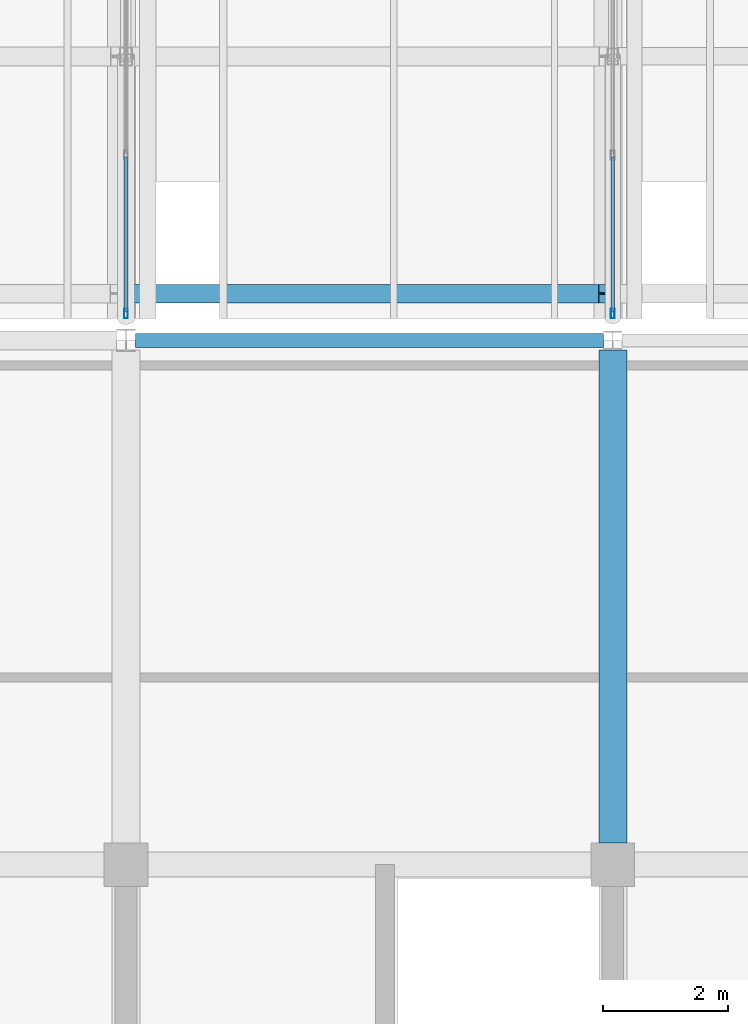
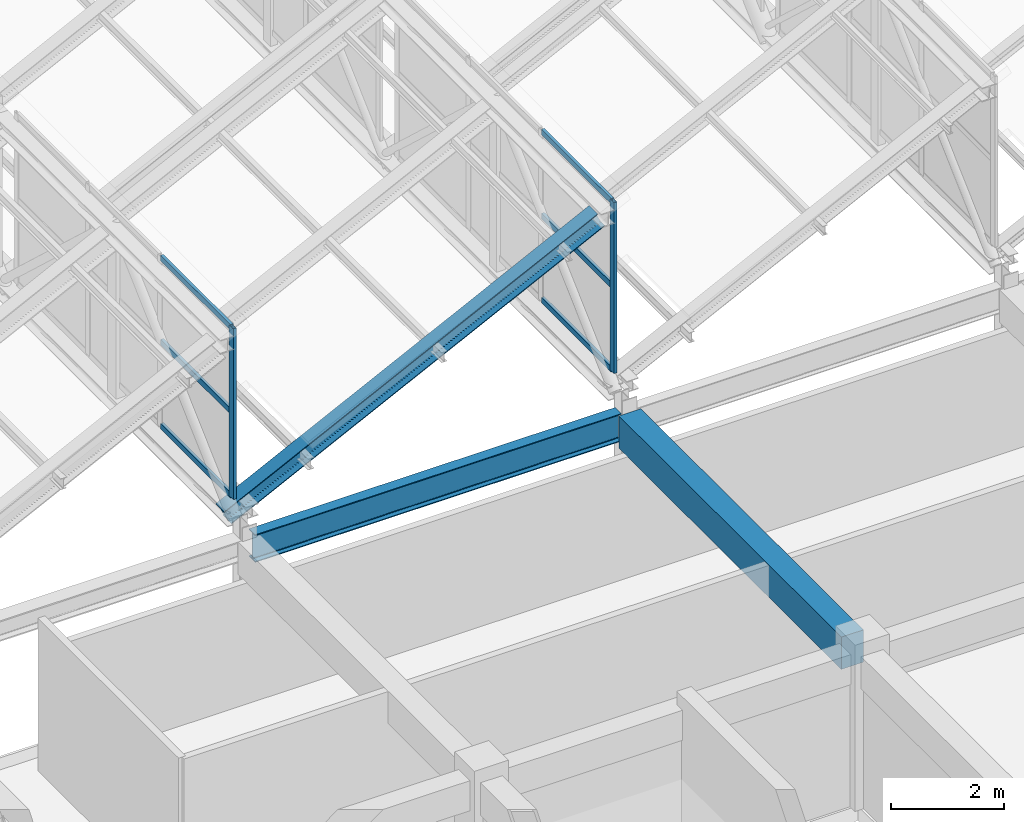
# One storey, part 10 of 101: 9 members, 2 beams, 2 elements without a shape of their own.
"""IFC4 building model written with IfcOpenShell, lengths in metres."""

import ifcopenshell
import ifcopenshell.guid

model = None  # the IFC model being written
_history = None  # IfcOwnerHistory: only IFC2X3 demands one
_inside = {}  # id of a spatial element -> (the spatial element, [elements in it])
_under = {}  # id of a project, library or spatial element -> (it, [spatial elements below it])
_declared = {}  # id of a project -> (the project, [libraries it declares])
_typed = {}  # id of a type object -> (the type object, [elements of that type])
_made_of = {}  # id of a material, layer set ... -> (it, [elements and type objects made of it])


def new_model(schema):
    """Start an empty IFC model of exactly this schema.

    Asked for "IFC4X3", IfcOpenShell would pick the latest addendum, in which some entities
    have other attributes; the version numbers below select the first issue.
    IFC2X3 requires an IfcOwnerHistory on every rooted entity: one is made here for all.
    """
    global model, _history
    if schema == "IFC4X3":
        model = ifcopenshell.file(schema_version=(4, 3, 0, 0))
    else:
        model = ifcopenshell.file(schema=schema)
    _inside.clear()
    _under.clear()
    _declared.clear()
    _typed.clear()
    _made_of.clear()
    _history = None
    if model.schema == "IFC2X3":
        org = make("IfcOrganization", Name="unknown")
        user = make(
            "IfcPersonAndOrganization",
            ThePerson=make("IfcPerson", FamilyName="unknown"),
            TheOrganization=org,
        )
        app = make(
            "IfcApplication",
            ApplicationDeveloper=org,
            Version="unknown",
            ApplicationFullName="unknown",
            ApplicationIdentifier="unknown",
        )
        _history = make(
            "IfcOwnerHistory",
            OwningUser=user,
            OwningApplication=app,
            ChangeAction="ADDED",
            CreationDate=0,
        )
    return model


def make(cls, **values):
    """One entity of the class cls with the attributes given. An attribute that is None is left unset."""
    return model.create_entity(
        cls, **{name: value for name, value in values.items() if value is not None}
    )


def rooted(cls, **values):
    """An entity with a GlobalId (a new one), such as an element, a storey or a relation."""
    return make(cls, GlobalId=ifcopenshell.guid.new(), OwnerHistory=_history, **values)


def si_unit(unit_type, name, prefix=None):
    """IfcSIUnit, for example si_unit("LENGTHUNIT", "METRE", prefix="MILLI")."""
    return make("IfcSIUnit", UnitType=unit_type, Prefix=prefix, Name=name)


def assignment(units):
    """IfcUnitAssignment: the units of a project."""
    return None if units is None else make("IfcUnitAssignment", Units=units)


def point(xyz):
    """IfcCartesianPoint."""
    return None if xyz is None else make("IfcCartesianPoint", Coordinates=xyz)


def direction(xyz):
    """IfcDirection."""
    return None if xyz is None else make("IfcDirection", DirectionRatios=xyz)


def frame(location, z_axis=None, x_axis=None):
    """IfcAxis2Placement3D, a coordinate frame: its origin and axes. An axis left out is left unset."""
    return make(
        "IfcAxis2Placement3D",
        Location=point(location),
        Axis=direction(z_axis),
        RefDirection=direction(x_axis),
    )


def frame_2d(location, x_axis=None):
    """IfcAxis2Placement2D, a coordinate frame in the plane: its origin and x axis."""
    return make(
        "IfcAxis2Placement2D", Location=point(location), RefDirection=direction(x_axis)
    )


def origin():
    """The frame at (0, 0, 0) with its axes left unset."""
    return frame((0.0, 0.0, 0.0))


def origin_2d():
    """The frame at (0, 0) in the plane with its x axis left unset."""
    return frame_2d((0.0, 0.0))


def place(relative_to, where):
    """IfcLocalPlacement: puts the frame where relative to a parent placement (None: the world)."""
    return make(
        "IfcLocalPlacement", PlacementRelTo=relative_to, RelativePlacement=where
    )


def context(
    kind, dimensions, precision=None, world=None, true_north=None, identifier=None
):
    """IfcGeometricRepresentationContext, for example the 3D "Model" context."""
    return make(
        "IfcGeometricRepresentationContext",
        ContextIdentifier=identifier,
        ContextType=kind,
        CoordinateSpaceDimension=dimensions,
        Precision=precision,
        WorldCoordinateSystem=world,
        TrueNorth=true_north,
    )


def subcontext(parent, identifier, kind, view, scale=None):
    """IfcGeometricRepresentationSubContext, for example "Body" below "Model"."""
    return make(
        "IfcGeometricRepresentationSubContext",
        ContextIdentifier=identifier,
        ContextType=kind,
        ParentContext=parent,
        TargetScale=scale,
        TargetView=view,
    )


def project(units=None, contexts=None):
    """IfcProject with its units and contexts."""
    return rooted(
        "IfcProject",
        Name="project",
        RepresentationContexts=contexts,
        UnitsInContext=assignment(units),
    )


def spatial(cls, under=None, at=None, **own):
    """A site, building, storey or space (cls), placed at a placement, below another one or the project."""
    s = rooted(cls, ObjectPlacement=at, **own)
    if under is not None:
        _under.setdefault(under.id(), (under, []))[1].append(s)
    return s


def profile(cls, at=None, kind="AREA", **sizes):
    """A parametric profile (cls). Its sizes go by their IFC names, for example OverallWidth=200.0."""
    return make(cls, ProfileType=kind, Position=at, **sizes)


def rectangle(**sizes):
    """IfcRectangleProfileDef."""
    return profile("IfcRectangleProfileDef", **sizes)


def hollow_rectangle(**sizes):
    """IfcRectangleHollowProfileDef."""
    return profile("IfcRectangleHollowProfileDef", **sizes)


def i_section(**sizes):
    """IfcIShapeProfileDef."""
    return profile("IfcIShapeProfileDef", **sizes)


def extrude(swept, where, along, depth):
    """IfcExtrudedAreaSolid: the profile swept, set in the frame where, extruded along a direction by depth."""
    return make(
        "IfcExtrudedAreaSolid",
        SweptArea=swept,
        Position=where,
        ExtrudedDirection=direction(along),
        Depth=depth,
    )


def shape(context_of_items, identifier, shape_type, items):
    """IfcShapeRepresentation: the items that make up one representation, for example the "Body"."""
    return make(
        "IfcShapeRepresentation",
        ContextOfItems=context_of_items,
        RepresentationIdentifier=identifier,
        RepresentationType=shape_type,
        Items=items,
    )


def material(Name=None, Category=None):
    """IfcMaterial."""
    return make("IfcMaterial", Name=Name, Category=Category)


def layer(
    of_material, thickness, ventilated=None, Name=None, Category=None, Priority=None
):
    """IfcMaterialLayer: one layer of a wall or slab, of a material (None: an air gap)."""
    return make(
        "IfcMaterialLayer",
        Material=of_material,
        LayerThickness=thickness,
        IsVentilated=ventilated,
        Name=Name,
        Category=Category,
        Priority=Priority,
    )


def layer_set(layers, Name=None):
    """IfcMaterialLayerSet."""
    return make("IfcMaterialLayerSet", MaterialLayers=layers, LayerSetName=Name)


def material_profile(
    of_material, cross_section, Name=None, Category=None, Priority=None
):
    """IfcMaterialProfile: a cross section and its material."""
    return make(
        "IfcMaterialProfile",
        Name=Name,
        Material=of_material,
        Profile=cross_section,
        Priority=Priority,
        Category=Category,
    )


def profile_set(profiles, Name=None, composite=None):
    """IfcMaterialProfileSet."""
    return make(
        "IfcMaterialProfileSet",
        Name=Name,
        MaterialProfiles=profiles,
        CompositeProfile=composite,
    )


def made_of(thing, what):
    """Note that an element or type object is made of a material, layer set ...; save() writes the relation."""
    if what is not None:
        _made_of.setdefault(what.id(), (what, []))[1].append(thing)
    return thing


def type_object(cls, material=None, **own):
    """A type object (cls), such as IfcWallType, which elements share."""
    return made_of(rooted(cls, **own), material)


def element(
    cls,
    number,
    at=None,
    inside=None,
    cuts=None,
    type_object=None,
    material=None,
    context=None,
    identifier="Body",
    shape_type=None,
    held_by="IfcProductDefinitionShape",
    body=None,
    shapes=None,
    **own,
):
    """One element of the class cls, such as IfcWall. Its Tag is "e" and its number.

    at: its placement. inside: the storey or other place that contains it. cuts: it is an
    opening in that element (IfcRelVoidsElement). A single representation is given by context,
    identifier, shape_type and body (its items); several are given by shapes. held_by: the class
    of the entity that holds the representations. save() writes the other relations.
    """
    e = rooted(cls, Tag="e%d" % number, ObjectPlacement=at, **own)
    if body is not None:
        shapes = [shape(context, identifier, shape_type, body)]
    if shapes is not None:
        e.Representation = make(held_by, Representations=shapes)
    if inside is not None:
        _inside.setdefault(inside.id(), (inside, []))[1].append(e)
    if cuts is not None:
        rooted(
            "IfcRelVoidsElement", RelatingBuildingElement=cuts, RelatedOpeningElement=e
        )
    if type_object is not None:
        _typed.setdefault(type_object.id(), (type_object, []))[1].append(e)
    return made_of(e, material)


def aggregate(whole, parts):
    """IfcRelAggregates: a whole, such as a stair, and the parts it consists of."""
    return rooted("IfcRelAggregates", RelatingObject=whole, RelatedObjects=parts)


def save(model, path):
    """Write the relations noted so far, then the file.

    IfcRelAggregates (storeys below a building ...), IfcRelContainedInSpatialStructure (elements
    in a storey), IfcRelDefinesByType, IfcRelAssociatesMaterial and IfcRelDeclares: one each for
    every whole, place, type object, material and project.
    """
    for whole, parts in _under.values():
        aggregate(whole, parts)
    for where, things in _inside.values():
        rooted(
            "IfcRelContainedInSpatialStructure",
            RelatedElements=things,
            RelatingStructure=where,
        )
    for kind, things in _typed.values():
        rooted("IfcRelDefinesByType", RelatedObjects=things, RelatingType=kind)
    for what, things in _made_of.values():
        rooted("IfcRelAssociatesMaterial", RelatedObjects=things, RelatingMaterial=what)
    for by, libraries in _declared.values():
        rooted("IfcRelDeclares", RelatingContext=by, RelatedDefinitions=libraries)
    model.write(path)


model = new_model("IFC4")

# Units and contexts
model_context = context("Model", 3, precision=1e-05, world=origin(), true_north=direction((0.0, 1.0)))
body_context = subcontext(model_context, "Body", "Model", "MODEL_VIEW")
ifc_project = project(units=[si_unit("LENGTHUNIT", "METRE"), si_unit("AREAUNIT", "SQUARE_METRE"), si_unit("VOLUMEUNIT", "CUBIC_METRE"), si_unit("PLANEANGLEUNIT", "RADIAN"), si_unit("MASSUNIT", "GRAM", prefix="KILO")], contexts=[model_context])

# Site, building, storey
site_placement = place(None, origin())
site = spatial("IfcSite", under=ifc_project, at=site_placement, CompositionType="ELEMENT")
building_placement = place(site_placement, origin())
building = spatial("IfcBuilding", under=site, at=building_placement, Name="Zizhar Promenade General Hospital", CompositionType="ELEMENT")
storey_placement = place(building_placement, frame((0.0, 0.0, 14.39990234375)))
storey = spatial("IfcBuildingStorey", under=building, at=storey_placement, Name="L03", CompositionType="ELEMENT", Elevation=14.39990234375)

# Beams
ifc_material_1 = material(Name="Concrete C35/45", Category="concrete")
ifc_material_profile_1 = material_profile(ifc_material_1, rectangle(XDim=0.449951171875, YDim=0.699951171875, at=origin_2d()))
ifc_profile_set_1 = profile_set([ifc_material_profile_1], Name="Concrete C35/45")
beam_type_1 = type_object("IfcBeamType", Name="BM-RC-450x700", PredefinedType="BEAM", material=ifc_profile_set_1)
beam_1_placement = place(storey_placement, frame((85.800048828125, 17.14990234375, 2.960205078125), z_axis=(0.0, 1.0, 0.0), x_axis=(-1.0, 0.0, 0.0)))
element("IfcBeam", 1, at=beam_1_placement, inside=storey, type_object=beam_type_1, Name="Grid Beam Y L03 (11-2)", PredefinedType="BEAM", context=body_context, shape_type="SweptSolid", body=[
    extrude(rectangle(XDim=0.449951171875, YDim=0.699951171875, at=origin_2d()), origin(), (0.0, 0.0, 1.0), 7.900146484375),
])
ifc_material_2 = material(Name="Steel S355", Category="steel")
ifc_material_profile_2 = material_profile(ifc_material_2, i_section(OverallWidth=0.219970703125, OverallDepth=0.60009765625, WebThickness=0.011962890625, FlangeThickness=0.01904296875, FilletRadius=0.02392578125, at=origin_2d()))
ifc_profile_set_2 = profile_set([ifc_material_profile_2], Name="Steel S355")
beam_type_2 = type_object("IfcBeamType", Name="BM-STL-IPE600", PredefinedType="BEAM", material=ifc_profile_set_2)
beam_2_placement = place(storey_placement, frame((78.14990234375, 25.199951171875, 3.010009765625), z_axis=(1.0, 0.0, 0.0), x_axis=(0.0, 1.0, 0.0)))
element("IfcBeam", 2, at=beam_2_placement, inside=storey, type_object=beam_type_2, Name="Grid Beam X L03 (10-3)", PredefinedType="BEAM", context=body_context, shape_type="SweptSolid", body=[
    extrude(i_section(OverallWidth=0.219970703125, OverallDepth=0.60009765625, WebThickness=0.011962890625, FlangeThickness=0.01904296875, FilletRadius=0.02392578125, at=origin_2d()), origin(), (0.0, 0.0, 1.0), 7.5),
])

# Curtain wall, member
ifc_material_3 = material(Name="Anodised aluminium 6063-T6 and low-E glass", Category="aluminium")
ifc_layer = layer(ifc_material_3, 0.159912109375)
ifc_layer_set = layer_set([ifc_layer], Name="Anodised aluminium 6063-T6 and low-E glass")
curtain_wall_type = type_object("IfcCurtainWallType", Name="CW-SAW-NL1", PredefinedType="NOTDEFINED", material=ifc_layer_set)
curtain_wall_1_placement = place(storey_placement, origin())
curtain_wall_1 = element("IfcCurtainWall", 3, at=curtain_wall_1_placement, inside=storey, type_object=curtain_wall_type, Name="Sawtooth Clerestory Light B1-S1", PredefinedType="NOTDEFINED")
ifc_material_4 = material(Name="Anodised aluminium 6063-T6", Category="aluminium")
ifc_material_profile_3 = material_profile(ifc_material_4, hollow_rectangle(XDim=0.06005859375, YDim=0.14990234375, WallThickness=0.00390625, at=origin_2d()))
ifc_profile_set_3 = profile_set([ifc_material_profile_3], Name="Anodised aluminium 6063-T6")
member_type_1 = type_object("IfcMemberType", Name="CWM-ALU-150x60", PredefinedType="MULLION", material=ifc_profile_set_3)
member_1_placement = place(storey_placement, frame((78.0, 25.6298828125, 3.85009765625), z_axis=(0.0, 0.0, 1.0), x_axis=(-1.0, 0.0, 0.0)))
member_1 = element("IfcMember", 4, at=member_1_placement, type_object=member_type_1, Name="CW-03 mullion 1", PredefinedType="MULLION", context=body_context, shape_type="SweptSolid", body=[
    extrude(hollow_rectangle(XDim=0.06005859375, YDim=0.14990234375, WallThickness=0.00390625, at=origin_2d()), origin(), (0.0, 0.0, 1.0), 3.699951171875),
])

curtain_wall_2_placement = place(storey_placement, origin())
curtain_wall_2 = element("IfcCurtainWall", 5, at=curtain_wall_2_placement, inside=storey, type_object=curtain_wall_type, Name="Sawtooth Clerestory Light B2-S1", PredefinedType="NOTDEFINED")
member_2_placement = place(storey_placement, frame((85.800048828125, 25.6298828125, 3.85009765625), z_axis=(0.0, 0.0, 1.0), x_axis=(-1.0, 0.0, 0.0)))
member_2 = element("IfcMember", 6, at=member_2_placement, type_object=member_type_1, Name="CW-03 mullion 1", PredefinedType="MULLION", context=body_context, shape_type="SweptSolid", body=[
    extrude(hollow_rectangle(XDim=0.06005859375, YDim=0.14990234375, WallThickness=0.00390625, at=origin_2d()), origin(), (0.0, 0.0, 1.0), 3.699951171875),
])

# Member
ifc_material_5 = material(Name="Anodised aluminium 6063-T6", Category="aluminium")
ifc_material_profile_4 = material_profile(ifc_material_5, hollow_rectangle(XDim=0.06005859375, YDim=0.1201171875, WallThickness=0.00390625, at=origin_2d()))
ifc_profile_set_4 = profile_set([ifc_material_profile_4], Name="Anodised aluminium 6063-T6")
member_type_2 = type_object("IfcMemberType", Name="CWT-ALU-120x60", PredefinedType="USERDEFINED", material=ifc_profile_set_4)
member_3_placement = place(storey_placement, frame((78.0, 25.659912109375, 3.880126953125), z_axis=(0.0, 1.0, 0.0), x_axis=(-1.0, 0.0, 0.0)))
member_3 = element("IfcMember", 7, at=member_3_placement, type_object=member_type_2, Name="CW-03 transom 1.1", ObjectType="TRANSOM", PredefinedType="USERDEFINED", context=body_context, shape_type="SweptSolid", body=[
    extrude(hollow_rectangle(XDim=0.06005859375, YDim=0.1201171875, WallThickness=0.00390625, at=origin_2d()), origin(), (0.0, 0.0, 1.0), 2.476806640625),
])

member_4_placement = place(storey_placement, frame((78.0, 25.659912109375, 5.7001953125), z_axis=(0.0, 1.0, 0.0), x_axis=(-1.0, 0.0, 0.0)))
member_4 = element("IfcMember", 8, at=member_4_placement, type_object=member_type_2, Name="CW-03 transom 1.2", ObjectType="TRANSOM", PredefinedType="USERDEFINED", context=body_context, shape_type="SweptSolid", body=[
    extrude(hollow_rectangle(XDim=0.06005859375, YDim=0.1201171875, WallThickness=0.00390625, at=origin_2d()), origin(), (0.0, 0.0, 1.0), 2.476806640625),
])

member_5_placement = place(storey_placement, frame((78.0, 25.659912109375, 7.52001953125), z_axis=(0.0, 1.0, 0.0), x_axis=(-1.0, 0.0, 0.0)))
member_5 = element("IfcMember", 9, at=member_5_placement, type_object=member_type_2, Name="CW-03 transom 1.3", ObjectType="TRANSOM", PredefinedType="USERDEFINED", context=body_context, shape_type="SweptSolid", body=[
    extrude(hollow_rectangle(XDim=0.06005859375, YDim=0.1201171875, WallThickness=0.00390625, at=origin_2d()), origin(), (0.0, 0.0, 1.0), 2.476806640625),
])

aggregate(curtain_wall_1, [member_1, member_3, member_4, member_5])

member_6_placement = place(storey_placement, frame((85.800048828125, 25.659912109375, 3.880126953125), z_axis=(0.0, 1.0, 0.0), x_axis=(-1.0, 0.0, 0.0)))
member_6 = element("IfcMember", 10, at=member_6_placement, type_object=member_type_2, Name="CW-03 transom 1.1", ObjectType="TRANSOM", PredefinedType="USERDEFINED", context=body_context, shape_type="SweptSolid", body=[
    extrude(hollow_rectangle(XDim=0.06005859375, YDim=0.1201171875, WallThickness=0.00390625, at=origin_2d()), origin(), (0.0, 0.0, 1.0), 2.476806640625),
])

member_7_placement = place(storey_placement, frame((85.800048828125, 25.659912109375, 5.7001953125), z_axis=(0.0, 1.0, 0.0), x_axis=(-1.0, 0.0, 0.0)))
member_7 = element("IfcMember", 11, at=member_7_placement, type_object=member_type_2, Name="CW-03 transom 1.2", ObjectType="TRANSOM", PredefinedType="USERDEFINED", context=body_context, shape_type="SweptSolid", body=[
    extrude(hollow_rectangle(XDim=0.06005859375, YDim=0.1201171875, WallThickness=0.00390625, at=origin_2d()), origin(), (0.0, 0.0, 1.0), 2.476806640625),
])

member_8_placement = place(storey_placement, frame((85.800048828125, 25.659912109375, 7.52001953125), z_axis=(0.0, 1.0, 0.0), x_axis=(-1.0, 0.0, 0.0)))
member_8 = element("IfcMember", 12, at=member_8_placement, type_object=member_type_2, Name="CW-03 transom 1.3", ObjectType="TRANSOM", PredefinedType="USERDEFINED", context=body_context, shape_type="SweptSolid", body=[
    extrude(hollow_rectangle(XDim=0.06005859375, YDim=0.1201171875, WallThickness=0.00390625, at=origin_2d()), origin(), (0.0, 0.0, 1.0), 2.476806640625),
])

aggregate(curtain_wall_2, [member_2, member_6, member_7, member_8])

ifc_material_6 = material(Name="Steel S355", Category="steel")
ifc_material_profile_5 = material_profile(ifc_material_6, i_section(OverallWidth=0.300048828125, OverallDepth=0.35009765625, WebThickness=0.010009765625, FlangeThickness=0.017578125, FilletRadius=0.027099609375, at=origin_2d()))
ifc_profile_set_5 = profile_set([ifc_material_profile_5], Name="Steel S355")
member_type_3 = type_object("IfcMemberType", Name="MEM-RAFT-HEA360", PredefinedType="RAFTER", material=ifc_profile_set_5)
member_9_placement = place(storey_placement, frame((78.0, 25.949951171875, 3.298095703125), z_axis=(0.896716239757, 0.0, 0.442605902983), x_axis=(0.0, 1.0, 0.0)))
element("IfcMember", 13, at=member_9_placement, inside=storey, type_object=member_type_3, Name="Sawtooth Bay 2 Rafter 1-1", PredefinedType="RAFTER", context=body_context, shape_type="SweptSolid", body=[
    extrude(i_section(OverallWidth=0.300048828125, OverallDepth=0.35009765625, WebThickness=0.010009765625, FlangeThickness=0.017578125, FilletRadius=0.027099609375, at=origin_2d()), origin(), (0.0, 0.0, 1.0), 8.531005859375),
])

save(model, "model.ifc")
